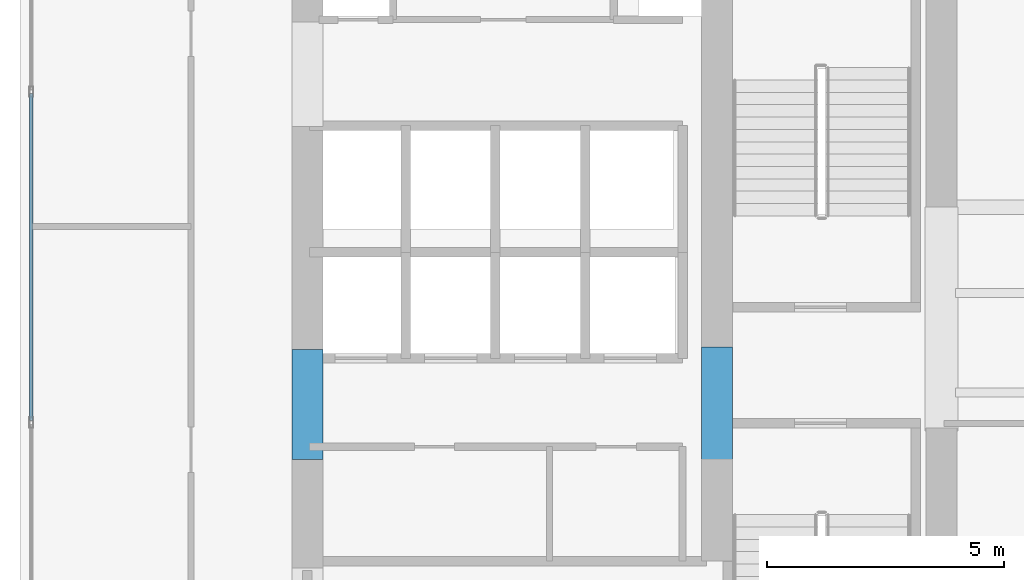
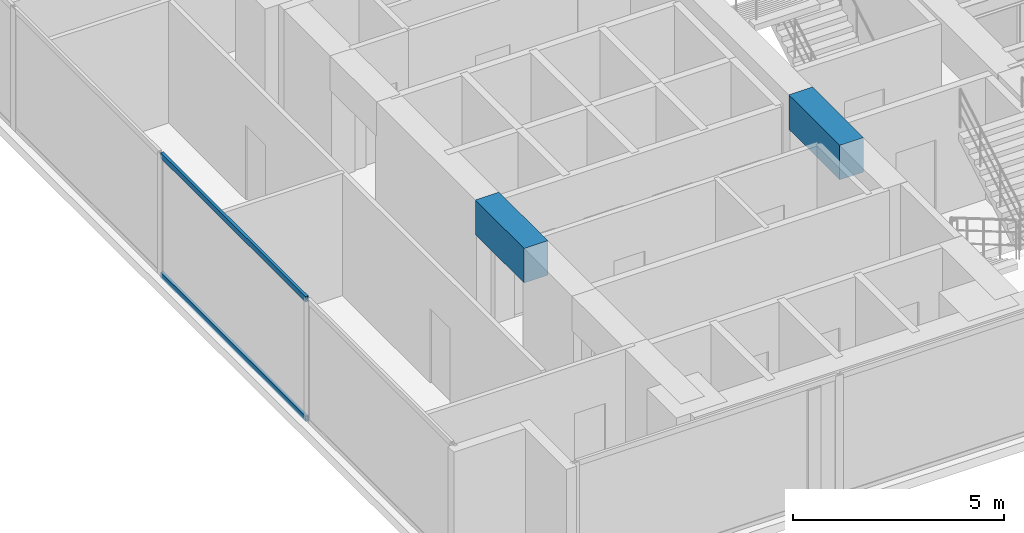
# One storey, part 3 of 27: 2 beams, 2 members, 1 element without a shape of its own.
"""IFC4 building model written with IfcOpenShell, lengths in metres."""

from ifc_helpers import new_model, si_unit, direction, frame, origin, origin_with_axes, origin_2d, place, context, subcontext, project, spatial, rectangle, hollow_rectangle, extrude, source, transform, mapped, material, layer, layer_set, material_profile, profile_set, type_object, element, aggregate, save


model = new_model("IFC4")

# Units and contexts
model_context = context("Model", 3, precision=1e-05, world=origin(), true_north=direction((0.0, 1.0)))
body_context = subcontext(model_context, "Body", "Model", "MODEL_VIEW")
ifc_project = project(units=[si_unit("LENGTHUNIT", "METRE"), si_unit("AREAUNIT", "SQUARE_METRE"), si_unit("VOLUMEUNIT", "CUBIC_METRE"), si_unit("PLANEANGLEUNIT", "RADIAN"), si_unit("MASSUNIT", "GRAM", prefix="KILO")], contexts=[model_context])

# Site, building, storey
site_placement = place(None, origin())
site = spatial("IfcSite", under=ifc_project, at=site_placement, CompositionType="ELEMENT")
building_placement = place(site_placement, origin())
building = spatial("IfcBuilding", under=site, at=building_placement, Name="Kolvaren Waterfront Exchange", CompositionType="ELEMENT")
storey_placement = place(building_placement, frame((0.0, 0.0, 118.300048828125)))
storey = spatial("IfcBuildingStorey", under=building, at=storey_placement, Name="L30", CompositionType="ELEMENT", Elevation=118.300048828125)

# Beams
ifc_material_1 = material(Name="Concrete C60/75", Category="concrete")
ifc_material_profile_1 = material_profile(ifc_material_1, rectangle(XDim=0.64990234375, YDim=1.0, at=origin_2d()), Name="RC-CB-1000x650")
ifc_profile_set_1 = profile_set([ifc_material_profile_1], Name="Concrete C60/75")
beam_type = type_object("IfcBeamType", Name="STR-CB-1000", PredefinedType="SPANDREL", material=ifc_profile_set_1)
beam_1_placement = place(storey_placement, frame((7.449951171875, 12.090087890625, 3.0400390625), z_axis=(0.0, 1.0, 0.0), x_axis=(-1.0, 0.0, 0.0)))
element("IfcBeam", 1, at=beam_1_placement, inside=storey, type_object=beam_type, Name="L30 core coupling beam 4", PredefinedType="SPANDREL", context=body_context, shape_type="SweptSolid", body=[
    extrude(rectangle(XDim=0.64990234375, YDim=1.0, at=origin_2d()), origin(), (0.0, 0.0, 1.0), 2.31982421875),
])
beam_2_placement = place(storey_placement, frame((16.074951171875, 12.0400390625, 3.0400390625), z_axis=(0.0, 1.0, 0.0), x_axis=(-1.0, 0.0, 0.0)))
element("IfcBeam", 2, at=beam_2_placement, inside=storey, type_object=beam_type, Name="L30 core coupling beam 6", PredefinedType="SPANDREL", context=body_context, shape_type="SweptSolid", body=[
    extrude(rectangle(XDim=0.64990234375, YDim=1.0, at=origin_2d()), origin(), (0.0, 0.0, 1.0), 2.419921875),
])

# Curtain wall, members
ifc_material_2 = material(Name="Anodised aluminium 6063-T6", Category="aluminium")
ifc_layer = layer(ifc_material_2, 0.219970703125, Name="Anodised aluminium 6063-T6")
ifc_layer_set = layer_set([ifc_layer], Name="Anodised aluminium 6063-T6")
curtain_wall_type = type_object("IfcCurtainWallType", Name="ARC-CW-SYS2", PredefinedType="USERDEFINED", material=ifc_layer_set)
curtain_wall_placement = place(storey_placement, origin())
curtain_wall = element("IfcCurtainWall", 3, at=curtain_wall_placement, inside=storey, type_object=curtain_wall_type, Name="L30 stick curtain wall CW2 (CW-L30-W)", ObjectType="STICK CURTAIN WALL", PredefinedType="USERDEFINED")
ifc_material_profile_2 = material_profile(ifc_material_2, hollow_rectangle(XDim=0.074951171875, YDim=0.159912109375, WallThickness=0.00439453125, at=origin_2d()), Name="ALU-TRN-160x75x4.5")
ifc_profile_set_2 = profile_set([ifc_material_profile_2], Name="Anodised aluminium 6063-T6")
member_type = type_object("IfcMemberType", Name="ARC-CWT-160", PredefinedType="USERDEFINED", material=ifc_profile_set_2)
shared_shape = source(origin_with_axes(), body_context, "Body", "SweptSolid", [
    extrude(hollow_rectangle(XDim=0.074951171875, YDim=0.159912109375, WallThickness=0.00439453125, at=origin_2d()), origin(), (0.0, 0.0, 1.0), 6.886474609375),
])
member_1_placement = place(storey_placement, frame((1.639892578125, 12.90673828125, 0.037353515625), z_axis=(0.0, 1.0, 0.0), x_axis=(-1.0, 0.0, 0.0)))
member_1 = element("IfcMember", 4, at=member_1_placement, type_object=member_type, Name="CW2 transom 2.1", ObjectType="TRANSOM", PredefinedType="USERDEFINED", context=body_context, shape_type="MappedRepresentation", body=[
    mapped(shared_shape, transform((0.0, 0.0, 0.0), x_axis=(1.0, 0.0, 0.0), y_axis=(0.0, 1.0, 0.0), z_axis=(0.0, 0.0, 1.0), scale=1.0)),
])
member_2_placement = place(storey_placement, frame((1.639892578125, 12.90673828125, 3.50244140625), z_axis=(0.0, 1.0, 0.0), x_axis=(-1.0, 0.0, 0.0)))
member_2 = element("IfcMember", 5, at=member_2_placement, type_object=member_type, Name="CW2 transom 2.2", ObjectType="TRANSOM", PredefinedType="USERDEFINED", context=body_context, shape_type="MappedRepresentation", body=[
    mapped(shared_shape, transform((0.0, 0.0, 0.0), x_axis=(1.0, 0.0, 0.0), y_axis=(0.0, 1.0, 0.0), z_axis=(0.0, 0.0, 1.0), scale=1.0)),
])
aggregate(curtain_wall, [member_1, member_2])

save(model, "model.ifc")
